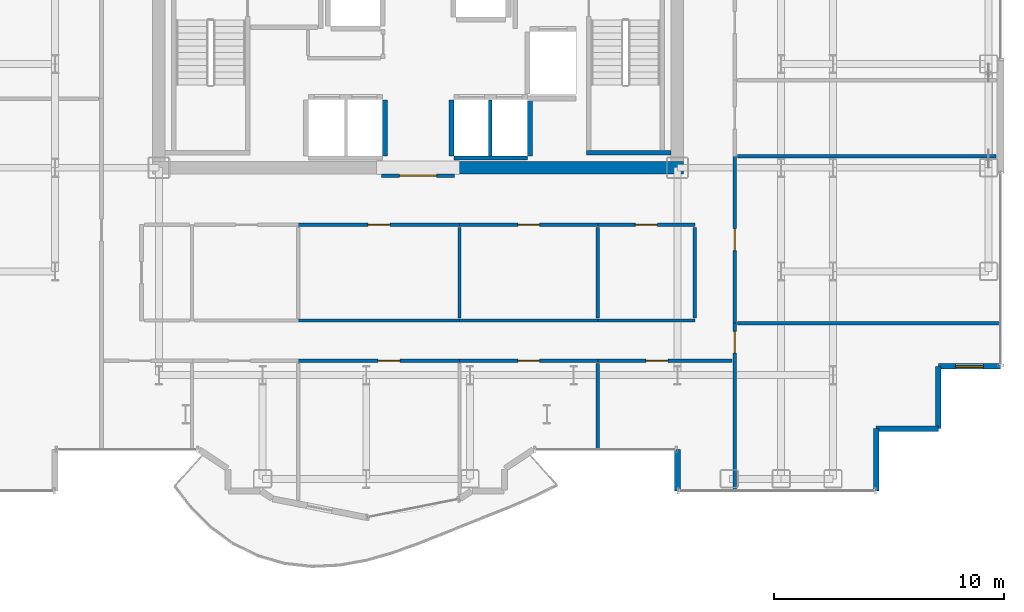
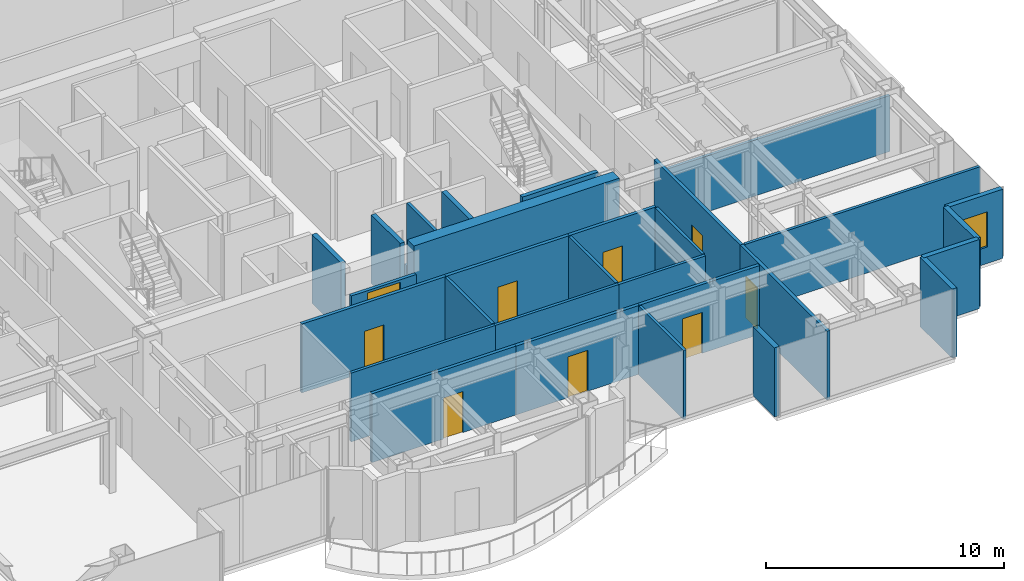
# One storey, part 20 of 26: 30 walls, 9 doors, 1 window, 10 openings.
"""IFC4 building model written with IfcOpenShell, lengths in metres."""

import ifcopenshell
import ifcopenshell.guid

model = None  # the IFC model being written
_history = None  # IfcOwnerHistory: only IFC2X3 demands one
_inside = {}  # id of a spatial element -> (the spatial element, [elements in it])
_under = {}  # id of a project, library or spatial element -> (it, [spatial elements below it])
_declared = {}  # id of a project -> (the project, [libraries it declares])
_typed = {}  # id of a type object -> (the type object, [elements of that type])
_made_of = {}  # id of a material, layer set ... -> (it, [elements and type objects made of it])


def new_model(schema):
    """Start an empty IFC model of exactly this schema.

    Asked for "IFC4X3", IfcOpenShell would pick the latest addendum, in which some entities
    have other attributes; the version numbers below select the first issue.
    IFC2X3 requires an IfcOwnerHistory on every rooted entity: one is made here for all.
    """
    global model, _history
    if schema == "IFC4X3":
        model = ifcopenshell.file(schema_version=(4, 3, 0, 0))
    else:
        model = ifcopenshell.file(schema=schema)
    _inside.clear()
    _under.clear()
    _declared.clear()
    _typed.clear()
    _made_of.clear()
    _history = None
    if model.schema == "IFC2X3":
        org = make("IfcOrganization", Name="unknown")
        user = make(
            "IfcPersonAndOrganization",
            ThePerson=make("IfcPerson", FamilyName="unknown"),
            TheOrganization=org,
        )
        app = make(
            "IfcApplication",
            ApplicationDeveloper=org,
            Version="unknown",
            ApplicationFullName="unknown",
            ApplicationIdentifier="unknown",
        )
        _history = make(
            "IfcOwnerHistory",
            OwningUser=user,
            OwningApplication=app,
            ChangeAction="ADDED",
            CreationDate=0,
        )
    return model


def make(cls, **values):
    """One entity of the class cls with the attributes given. An attribute that is None is left unset."""
    return model.create_entity(
        cls, **{name: value for name, value in values.items() if value is not None}
    )


def rooted(cls, **values):
    """An entity with a GlobalId (a new one), such as an element, a storey or a relation."""
    return make(cls, GlobalId=ifcopenshell.guid.new(), OwnerHistory=_history, **values)


def si_unit(unit_type, name, prefix=None):
    """IfcSIUnit, for example si_unit("LENGTHUNIT", "METRE", prefix="MILLI")."""
    return make("IfcSIUnit", UnitType=unit_type, Prefix=prefix, Name=name)


def assignment(units):
    """IfcUnitAssignment: the units of a project."""
    return None if units is None else make("IfcUnitAssignment", Units=units)


def point(xyz):
    """IfcCartesianPoint."""
    return None if xyz is None else make("IfcCartesianPoint", Coordinates=xyz)


def direction(xyz):
    """IfcDirection."""
    return None if xyz is None else make("IfcDirection", DirectionRatios=xyz)


def frame(location, z_axis=None, x_axis=None):
    """IfcAxis2Placement3D, a coordinate frame: its origin and axes. An axis left out is left unset."""
    return make(
        "IfcAxis2Placement3D",
        Location=point(location),
        Axis=direction(z_axis),
        RefDirection=direction(x_axis),
    )


def frame_2d(location, x_axis=None):
    """IfcAxis2Placement2D, a coordinate frame in the plane: its origin and x axis."""
    return make(
        "IfcAxis2Placement2D", Location=point(location), RefDirection=direction(x_axis)
    )


def origin():
    """The frame at (0, 0, 0) with its axes left unset."""
    return frame((0.0, 0.0, 0.0))


def place(relative_to, where):
    """IfcLocalPlacement: puts the frame where relative to a parent placement (None: the world)."""
    return make(
        "IfcLocalPlacement", PlacementRelTo=relative_to, RelativePlacement=where
    )


def context(
    kind, dimensions, precision=None, world=None, true_north=None, identifier=None
):
    """IfcGeometricRepresentationContext, for example the 3D "Model" context."""
    return make(
        "IfcGeometricRepresentationContext",
        ContextIdentifier=identifier,
        ContextType=kind,
        CoordinateSpaceDimension=dimensions,
        Precision=precision,
        WorldCoordinateSystem=world,
        TrueNorth=true_north,
    )


def subcontext(parent, identifier, kind, view, scale=None):
    """IfcGeometricRepresentationSubContext, for example "Body" below "Model"."""
    return make(
        "IfcGeometricRepresentationSubContext",
        ContextIdentifier=identifier,
        ContextType=kind,
        ParentContext=parent,
        TargetScale=scale,
        TargetView=view,
    )


def project(units=None, contexts=None):
    """IfcProject with its units and contexts."""
    return rooted(
        "IfcProject",
        Name="project",
        RepresentationContexts=contexts,
        UnitsInContext=assignment(units),
    )


def spatial(cls, under=None, at=None, **own):
    """A site, building, storey or space (cls), placed at a placement, below another one or the project."""
    s = rooted(cls, ObjectPlacement=at, **own)
    if under is not None:
        _under.setdefault(under.id(), (under, []))[1].append(s)
    return s


def profile(cls, at=None, kind="AREA", **sizes):
    """A parametric profile (cls). Its sizes go by their IFC names, for example OverallWidth=200.0."""
    return make(cls, ProfileType=kind, Position=at, **sizes)


def rectangle(**sizes):
    """IfcRectangleProfileDef."""
    return profile("IfcRectangleProfileDef", **sizes)


def extrude(swept, where, along, depth):
    """IfcExtrudedAreaSolid: the profile swept, set in the frame where, extruded along a direction by depth."""
    return make(
        "IfcExtrudedAreaSolid",
        SweptArea=swept,
        Position=where,
        ExtrudedDirection=direction(along),
        Depth=depth,
    )


def shape(context_of_items, identifier, shape_type, items):
    """IfcShapeRepresentation: the items that make up one representation, for example the "Body"."""
    return make(
        "IfcShapeRepresentation",
        ContextOfItems=context_of_items,
        RepresentationIdentifier=identifier,
        RepresentationType=shape_type,
        Items=items,
    )


def source(mapping_origin, context_of_items, identifier, shape_type, items):
    """IfcRepresentationMap: a shape defined once, which mapped items show again and again."""
    return make(
        "IfcRepresentationMap",
        MappingOrigin=mapping_origin,
        MappedRepresentation=shape(context_of_items, identifier, shape_type, items),
    )


def transform(
    local_origin,
    x_axis=None,
    y_axis=None,
    z_axis=None,
    scale=None,
    scale2=None,
    scale3=None,
    uniform=True,
):
    """IfcCartesianTransformationOperator3D, or its non-uniform kind. x_axis, y_axis, z_axis: its Axis1, 2, 3."""
    if uniform:
        return make(
            "IfcCartesianTransformationOperator3D",
            Axis1=direction(x_axis),
            Axis2=direction(y_axis),
            LocalOrigin=point(local_origin),
            Scale=scale,
            Axis3=direction(z_axis),
        )
    return make(
        "IfcCartesianTransformationOperator3DnonUniform",
        Axis1=direction(x_axis),
        Axis2=direction(y_axis),
        LocalOrigin=point(local_origin),
        Scale=scale,
        Axis3=direction(z_axis),
        Scale2=scale2,
        Scale3=scale3,
    )


def mapped(mapping_source, mapping_target):
    """IfcMappedItem: shows the shape of a source again, moved by a transform."""
    return make(
        "IfcMappedItem", MappingSource=mapping_source, MappingTarget=mapping_target
    )


def material(Name=None, Category=None):
    """IfcMaterial."""
    return make("IfcMaterial", Name=Name, Category=Category)


def layer(
    of_material, thickness, ventilated=None, Name=None, Category=None, Priority=None
):
    """IfcMaterialLayer: one layer of a wall or slab, of a material (None: an air gap)."""
    return make(
        "IfcMaterialLayer",
        Material=of_material,
        LayerThickness=thickness,
        IsVentilated=ventilated,
        Name=Name,
        Category=Category,
        Priority=Priority,
    )


def layer_set(layers, Name=None):
    """IfcMaterialLayerSet."""
    return make("IfcMaterialLayerSet", MaterialLayers=layers, LayerSetName=Name)


def made_of(thing, what):
    """Note that an element or type object is made of a material, layer set ...; save() writes the relation."""
    if what is not None:
        _made_of.setdefault(what.id(), (what, []))[1].append(thing)
    return thing


def type_object(cls, material=None, **own):
    """A type object (cls), such as IfcWallType, which elements share."""
    return made_of(rooted(cls, **own), material)


def element(
    cls,
    number,
    at=None,
    inside=None,
    cuts=None,
    type_object=None,
    material=None,
    context=None,
    identifier="Body",
    shape_type=None,
    held_by="IfcProductDefinitionShape",
    body=None,
    shapes=None,
    **own,
):
    """One element of the class cls, such as IfcWall. Its Tag is "e" and its number.

    at: its placement. inside: the storey or other place that contains it. cuts: it is an
    opening in that element (IfcRelVoidsElement). A single representation is given by context,
    identifier, shape_type and body (its items); several are given by shapes. held_by: the class
    of the entity that holds the representations. save() writes the other relations.
    """
    e = rooted(cls, Tag="e%d" % number, ObjectPlacement=at, **own)
    if body is not None:
        shapes = [shape(context, identifier, shape_type, body)]
    if shapes is not None:
        e.Representation = make(held_by, Representations=shapes)
    if inside is not None:
        _inside.setdefault(inside.id(), (inside, []))[1].append(e)
    if cuts is not None:
        rooted(
            "IfcRelVoidsElement", RelatingBuildingElement=cuts, RelatedOpeningElement=e
        )
    if type_object is not None:
        _typed.setdefault(type_object.id(), (type_object, []))[1].append(e)
    return made_of(e, material)


def fill(opening, filler):
    """IfcRelFillsElement: the door or window that sits in an opening."""
    return rooted(
        "IfcRelFillsElement",
        RelatingOpeningElement=opening,
        RelatedBuildingElement=filler,
    )


def aggregate(whole, parts):
    """IfcRelAggregates: a whole, such as a stair, and the parts it consists of."""
    return rooted("IfcRelAggregates", RelatingObject=whole, RelatedObjects=parts)


def save(model, path):
    """Write the relations noted so far, then the file.

    IfcRelAggregates (storeys below a building ...), IfcRelContainedInSpatialStructure (elements
    in a storey), IfcRelDefinesByType, IfcRelAssociatesMaterial and IfcRelDeclares: one each for
    every whole, place, type object, material and project.
    """
    for whole, parts in _under.values():
        aggregate(whole, parts)
    for where, things in _inside.values():
        rooted(
            "IfcRelContainedInSpatialStructure",
            RelatedElements=things,
            RelatingStructure=where,
        )
    for kind, things in _typed.values():
        rooted("IfcRelDefinesByType", RelatedObjects=things, RelatingType=kind)
    for what, things in _made_of.values():
        rooted("IfcRelAssociatesMaterial", RelatedObjects=things, RelatingMaterial=what)
    for by, libraries in _declared.values():
        rooted("IfcRelDeclares", RelatingContext=by, RelatedDefinitions=libraries)
    model.write(path)


model = new_model("IFC4")

# Units and contexts
model_context = context("Model", 3, precision=1e-05, world=origin(), true_north=direction((0.0, 1.0)))
body_context = subcontext(model_context, "Body", "Model", "MODEL_VIEW")
ifc_project = project(units=[si_unit("LENGTHUNIT", "METRE"), si_unit("AREAUNIT", "SQUARE_METRE"), si_unit("VOLUMEUNIT", "CUBIC_METRE"), si_unit("PLANEANGLEUNIT", "RADIAN"), si_unit("MASSUNIT", "GRAM", prefix="KILO")], contexts=[model_context])

# Site, building, storey
site_placement = place(None, origin())
site = spatial("IfcSite", under=ifc_project, at=site_placement, CompositionType="ELEMENT")
building_placement = place(site_placement, origin())
building = spatial("IfcBuilding", under=site, at=building_placement, Name="Nefas-Gora Pilgrimage Tower", CompositionType="ELEMENT")
storey_placement = place(building_placement, frame((0.0, 0.0, 171.60009765625)))
storey = spatial("IfcBuildingStorey", under=building, at=storey_placement, Name="L42", CompositionType="ELEMENT", Elevation=171.60009765625)

# Walls
ifc_material_1 = material(Name="Concrete C60/75", Category="concrete")
ifc_layer_1 = layer(ifc_material_1, 0.550048828125)
ifc_layer_set_1 = layer_set([ifc_layer_1], Name="Concrete C60/75")
wall_type_1 = type_object("IfcWallType", Name="SW-CORE-550", PredefinedType="SHEAR", material=ifc_layer_set_1)
shared_shape_1 = source(origin(), body_context, "Body", "SweptSolid", [
    extrude(rectangle(XDim=9.974853515625, YDim=0.550048828125, at=frame_2d((4.9873046875, 0.0))), origin(), (0.0, 0.0, 1.0), 3.7998046875),
])
wall_1_placement = place(storey_placement, frame((1.550048828125, -9.0, 0.0), z_axis=(0.0, 0.0, 1.0), x_axis=(1.0, 0.0, 0.0)))
element("IfcWall", 1, at=wall_1_placement, inside=storey, type_object=wall_type_1, Name="L42 Core Shear Wall S-East", PredefinedType="SHEAR", context=body_context, shape_type="MappedRepresentation", body=[
    mapped(shared_shape_1, transform((0.0, 0.0, 0.0), x_axis=(1.0, 0.0, 0.0), y_axis=(0.0, 1.0, 0.0), z_axis=(0.0, 0.0, 1.0), scale=1.0)),
])
ifc_material_2 = material(Name="Precast concrete C40/50", Category="concrete")
ifc_layer_2 = layer(ifc_material_2, 0.260009765625)
ifc_layer_set_2 = layer_set([ifc_layer_2], Name="Precast concrete C40/50")
wall_type_2 = type_object("IfcWallType", Name="EW-PORTAL-260", PredefinedType="SOLIDWALL", material=ifc_layer_set_2)
shared_shape_2 = source(origin(), body_context, "Body", "SweptSolid", [
    extrude(rectangle(XDim=1.800048828125, YDim=0.260009765625, at=frame_2d((0.89990234375, 0.0))), origin(), (0.0, 0.0, 1.0), 3.5498046875),
])
wall_2_placement = place(storey_placement, frame((11.25, -21.219970703125, 0.0), z_axis=(0.0, 0.0, 1.0), x_axis=(0.0, -1.0, 0.0)))
element("IfcWall", 2, at=wall_2_placement, inside=storey, type_object=wall_type_2, Name="L42 Lobe Shoulder Precast Spandrel Pier 5", PredefinedType="SOLIDWALL", context=body_context, shape_type="MappedRepresentation", body=[
    mapped(shared_shape_2, transform((0.0, 0.0, 0.0), x_axis=(1.0, 0.0, 0.0), y_axis=(0.0, 1.0, 0.0), z_axis=(0.0, 0.0, 1.0), scale=1.0)),
])
ifc_material_3 = material(Name="Precast concrete C45/55", Category="concrete")
ifc_layer_3 = layer(ifc_material_3, 0.239990234375)
ifc_layer_set_3 = layer_set([ifc_layer_3], Name="Precast concrete C45/55")
wall_type_3 = type_object("IfcWallType", Name="EW-SERR-240", PredefinedType="SHEAR", material=ifc_layer_set_3)
shared_shape_3 = source(origin(), body_context, "Body", "SweptSolid", [
    extrude(rectangle(XDim=2.699951171875, YDim=0.239990234375, at=frame_2d((1.35009765625, 0.0))), origin(), (0.0, 0.0, 1.0), 3.5498046875),
])
for number, where, z_axis, x_axis, name in (
    (3, (19.8701171875, -23.02001953125, 0.0), (0.0, 0.0, 1.0), (0.0, 1.0, 0.0), "L42 Serrated Corner Shear Pier Wall 6"),
    (4, (19.8701171875, -20.320068359375, 0.0), (0.0, 0.0, 1.0), (1.0, 0.0, 0.0), "L42 Serrated Corner Shear Pier Wall 7"),
    (5, (22.570068359375, -20.320068359375, 0.0), (0.0, 0.0, 1.0), (0.0, 1.0, 0.0), "L42 Serrated Corner Shear Pier Wall 8"),
):
    element("IfcWall", number, at=place(storey_placement, frame(where, z_axis=z_axis, x_axis=x_axis)), inside=storey, type_object=wall_type_3, Name=name, PredefinedType="SHEAR", context=body_context, shape_type="MappedRepresentation", body=[
        mapped(shared_shape_3, transform((0.0, 0.0, 0.0), x_axis=(1.0, 0.0, 0.0), y_axis=(0.0, 1.0, 0.0), z_axis=(0.0, 0.0, 1.0), scale=1.0)),
    ])

# Wall, opening, window
wall_3_placement = place(storey_placement, frame((22.570068359375, -17.6201171875, 0.0), z_axis=(0.0, 0.0, 1.0), x_axis=(1.0, 0.0, 0.0)))
wall_3 = element("IfcWall", 6, at=wall_3_placement, inside=storey, type_object=wall_type_3, Name="L42 Serrated Corner Shear Pier Wall 9", PredefinedType="SHEAR", context=body_context, shape_type="MappedRepresentation", body=[
    mapped(shared_shape_3, transform((0.0, 0.0, 0.0), x_axis=(1.0, 0.0, 0.0), y_axis=(0.0, 1.0, 0.0), z_axis=(0.0, 0.0, 1.0), scale=1.0)),
])
opening_1_placement = place(wall_3_placement, frame((0.75, 0.0, 0.85009765625)))
opening_1 = element("IfcOpeningElement", 7, at=opening_1_placement, cuts=wall_3, Name="Opening W-V1", PredefinedType="OPENING", context=body_context, shape_type="SweptSolid", body=[
    extrude(rectangle(XDim=1.199951171875, YDim=1.800048828125, at=frame_2d((0.60009765625, 0.89990234375))), frame((0.0, 0.1298828125, 0.0), z_axis=(0.0, -1.0, 0.0), x_axis=(1.0, 0.0, 0.0)), (0.0, 0.0, 1.0), 0.260009765625),
])
ifc_material_4 = material(Name="Dark ceramic-fritted operable aluminium-glass window", Category="aluminium")
window_type = type_object("IfcWindowType", Name="WIN-VENT-1200x1800", PartitioningType="SINGLE_PANEL", PredefinedType="WINDOW", material=ifc_material_4)
shared_shape_4 = source(origin(), body_context, "Body", "SweptSolid", [
    extrude(rectangle(XDim=1.199951171875, YDim=1.800048828125, at=frame_2d((0.60009765625, 0.89990234375))), frame((0.0, 0.030029296875, 0.0), z_axis=(0.0, -1.0, 0.0), x_axis=(1.0, 0.0, 0.0)), (0.0, 0.0, 1.0), 0.06005859375),
])
window_placement = place(opening_1_placement, origin())
window = element("IfcWindow", 8, at=window_placement, inside=storey, type_object=window_type, Name="L42 Operable Parallel-Outswing Window 9", OverallHeight=1.800048828125, OverallWidth=1.199951171875, PartitioningType="SINGLE_PANEL", PredefinedType="WINDOW", context=body_context, shape_type="MappedRepresentation", body=[
    mapped(shared_shape_4, transform((0.0, 0.0, 0.0), x_axis=(1.0, 0.0, 0.0), y_axis=(0.0, 1.0, 0.0), z_axis=(0.0, 0.0, 1.0), scale=1.0)),
])
fill(opening_1, window)

# Walls
ifc_material_5 = material(Name="Concrete C45/55", Category="concrete")
ifc_layer_4 = layer(ifc_material_5, 0.199951171875)
ifc_layer_set_4 = layer_set([ifc_layer_4], Name="Concrete C45/55")
wall_type_4 = type_object("IfcWallType", Name="IW-STAIR-200", PredefinedType="SOLIDWALL", material=ifc_layer_set_4)
shared_shape_5 = source(origin(), body_context, "Body", "SweptSolid", [
    extrude(rectangle(XDim=3.679931640625, YDim=0.199951171875, at=frame_2d((1.83984375, 0.0))), origin(), (0.0, 0.0, 1.0), 3.7998046875),
])
wall_4_placement = place(storey_placement, frame((7.300048828125, -8.35009765625, 0.0), z_axis=(0.0, 0.0, 1.0), x_axis=(1.0, 0.0, 0.0)))
element("IfcWall", 9, at=wall_4_placement, inside=storey, type_object=wall_type_4, Name="L42 Stairwell Shear Wall ST-02-far", PredefinedType="SOLIDWALL", context=body_context, shape_type="MappedRepresentation", body=[
    mapped(shared_shape_5, transform((0.0, 0.0, 0.0), x_axis=(1.0, 0.0, 0.0), y_axis=(0.0, 1.0, 0.0), z_axis=(0.0, 0.0, 1.0), scale=1.0)),
])
ifc_material_6 = material(Name="Concrete C40/50", Category="concrete")
ifc_layer_5 = layer(ifc_material_6, 0.219970703125)
ifc_layer_set_5 = layer_set([ifc_layer_5], Name="Concrete C40/50")
wall_type_5 = type_object("IfcWallType", Name="IW-SHAFT-220", PredefinedType="SOLIDWALL", material=ifc_layer_set_5)
shared_shape_6 = source(origin(), body_context, "Body", "SweptSolid", [
    extrude(rectangle(XDim=2.429931640625, YDim=0.219970703125, at=frame_2d((1.21484375, 0.0))), origin(), (0.0, 0.0, 1.0), 3.534912109375),
])
for number, where, z_axis, x_axis, name in (
    (10, (-1.43994140625, -8.489990234375, 0.0), (0.0, 0.0, 1.0), (0.0, 1.0, 0.0), "L42 Hoistway Wall PL2-W-E"),
    (11, (1.43994140625, -6.06005859375, 0.0), (0.0, 0.0, 1.0), (0.0, -1.0, 0.0), "L42 Hoistway Wall PL2-E-W"),
    (12, (4.860107421875, -8.489990234375, 0.0), (0.0, 0.0, 1.0), (0.0, 1.0, 0.0), "L42 Hoistway Wall PL2-E-E"),
):
    element("IfcWall", number, at=place(storey_placement, frame(where, z_axis=z_axis, x_axis=x_axis)), inside=storey, type_object=wall_type_5, Name=name, PredefinedType="SOLIDWALL", context=body_context, shape_type="MappedRepresentation", body=[
        mapped(shared_shape_6, transform((0.0, 0.0, 0.0), x_axis=(1.0, 0.0, 0.0), y_axis=(0.0, 1.0, 0.0), z_axis=(0.0, 0.0, 1.0), scale=1.0)),
    ])
ifc_material_7 = material(Name="Gypsum twin-stud partition")
ifc_layer_6 = layer(ifc_material_7, 0.139892578125)
ifc_layer_set_6 = layer_set([ifc_layer_6], Name="Gypsum twin-stud partition")
wall_type_6 = type_object("IfcWallType", Name="IW-UNIT-140", PredefinedType="PARTITIONING", material=ifc_layer_set_6)
shared_shape_7 = source(origin(), body_context, "Body", "SweptSolid", [
    extrude(rectangle(XDim=2.429931640625, YDim=0.139892578125, at=frame_2d((1.21484375, 0.0))), origin(), (0.0, 0.0, 1.0), 3.534912109375),
])
wall_5_placement = place(storey_placement, frame((3.125, -8.489990234375, 0.0), z_axis=(0.0, 0.0, 1.0), x_axis=(0.0, 1.0, 0.0)))
element("IfcWall", 13, at=wall_5_placement, inside=storey, type_object=wall_type_6, Name="L42 Hoistway Wall PL2-E-DIV", PredefinedType="PARTITIONING", context=body_context, shape_type="MappedRepresentation", body=[
    mapped(shared_shape_7, transform((0.0, 0.0, 0.0), x_axis=(1.0, 0.0, 0.0), y_axis=(0.0, 1.0, 0.0), z_axis=(0.0, 0.0, 1.0), scale=1.0)),
])
ifc_material_8 = material(Name="Gypsum acoustic stud partition")
ifc_layer_7 = layer(ifc_material_8, 0.159912109375)
ifc_layer_set_7 = layer_set([ifc_layer_7], Name="Gypsum acoustic stud partition")
wall_type_7 = type_object("IfcWallType", Name="IW-CORR-160", PredefinedType="PARTITIONING", material=ifc_layer_set_7)
shared_shape_8 = source(origin(), body_context, "Body", "SweptSolid", [
    extrude(rectangle(XDim=3.199951171875, YDim=0.159912109375, at=frame_2d((1.60009765625, 0.0))), origin(), (0.0, 0.0, 1.0), 2.4248046875),
])
wall_6_placement = place(storey_placement, frame((1.550048828125, -8.580078125, 0.0), z_axis=(0.0, 0.0, 1.0), x_axis=(1.0, 0.0, 0.0)))
element("IfcWall", 14, at=wall_6_placement, inside=storey, type_object=wall_type_7, Name="L42 Hoistway Wall PL2-E-S", PredefinedType="PARTITIONING", context=body_context, shape_type="MappedRepresentation", body=[
    mapped(shared_shape_8, transform((0.0, 0.0, 0.0), x_axis=(1.0, 0.0, 0.0), y_axis=(0.0, 1.0, 0.0), z_axis=(0.0, 0.0, 1.0), scale=1.0)),
])

# Wall, opening, door
shared_shape_9 = source(origin(), body_context, "Body", "SweptSolid", [
    extrude(rectangle(XDim=6.010009765625, YDim=0.159912109375, at=frame_2d((3.0048828125, 0.0))), origin(), (0.0, 0.0, 1.0), 3.534912109375),
])
wall_7_placement = place(storey_placement, frame((1.794921875, -17.3701171875, 0.0), z_axis=(0.0, 0.0, 1.0), x_axis=(1.0, 0.0, 0.0)))
wall_7 = element("IfcWall", 15, at=wall_7_placement, inside=storey, type_object=wall_type_7, Name="L42 Pilgrim Contemplative Lounge Partition Wall 84", PredefinedType="PARTITIONING", context=body_context, shape_type="MappedRepresentation", body=[
    mapped(shared_shape_9, transform((0.0, 0.0, 0.0), x_axis=(1.0, 0.0, 0.0), y_axis=(0.0, 1.0, 0.0), z_axis=(0.0, 0.0, 1.0), scale=1.0)),
])
opening_2_placement = place(wall_7_placement, frame((2.530029296875, 0.0, 0.0)))
opening_2 = element("IfcOpeningElement", 16, at=opening_2_placement, cuts=wall_7, Name="Opening ID-GR1", PredefinedType="OPENING", context=body_context, shape_type="SweptSolid", body=[
    extrude(rectangle(XDim=0.949951171875, YDim=2.10009765625, at=frame_2d((0.47509765625, 1.050048828125))), frame((0.0, 0.08984375, 0.0), z_axis=(0.0, -1.0, 0.0), x_axis=(1.0, 0.0, 0.0)), (0.0, 0.0, 1.0), 0.179931640625),
])
ifc_material_9 = material(Name="Solid core oak fire-rated guest entrance door")
door_type_1 = type_object("IfcDoorType", Name="DR-INT-GUEST-950", OperationType="NOTDEFINED", PredefinedType="DOOR", material=ifc_material_9)
shared_shape_10 = source(origin(), body_context, "Body", "SweptSolid", [
    extrude(rectangle(XDim=0.949951171875, YDim=2.10009765625, at=frame_2d((0.47509765625, 1.050048828125))), frame((0.0, 0.02490234375, 0.0), z_axis=(0.0, -1.0, 0.0), x_axis=(1.0, 0.0, 0.0)), (0.0, 0.0, 1.0), 0.050048828125),
])
door_1_placement = place(opening_2_placement, origin())
door_1 = element("IfcDoor", 17, at=door_1_placement, inside=storey, type_object=door_type_1, Name="L42 Pilgrim Contemplative Lounge Door 37", OperationType="SINGLE_SWING_RIGHT", OverallHeight=2.10009765625, OverallWidth=0.949951171875, PredefinedType="DOOR", context=body_context, shape_type="MappedRepresentation", body=[
    mapped(shared_shape_10, transform((0.0, 0.0, 0.0), x_axis=(1.0, 0.0, 0.0), y_axis=(0.0, 1.0, 0.0), z_axis=(0.0, 0.0, 1.0), scale=1.0)),
])
fill(opening_2, door_1)

wall_8_placement = place(storey_placement, frame((1.794921875, -11.469970703125, 0.0), z_axis=(0.0, 0.0, 1.0), x_axis=(1.0, 0.0, 0.0)))
wall_8 = element("IfcWall", 18, at=wall_8_placement, inside=storey, type_object=wall_type_7, Name="L42 Pilgrim Contemplative Lounge Partition Wall 86", PredefinedType="PARTITIONING", context=body_context, shape_type="MappedRepresentation", body=[
    mapped(shared_shape_9, transform((0.0, 0.0, 0.0), x_axis=(1.0, 0.0, 0.0), y_axis=(0.0, 1.0, 0.0), z_axis=(0.0, 0.0, 1.0), scale=1.0)),
])
opening_3_placement = place(wall_8_placement, frame((2.530029296875, 0.0, 0.0)))
opening_3 = element("IfcOpeningElement", 19, at=opening_3_placement, cuts=wall_8, Name="Opening ID-GR1", PredefinedType="OPENING", context=body_context, shape_type="SweptSolid", body=[
    extrude(rectangle(XDim=0.949951171875, YDim=2.10009765625, at=frame_2d((0.47509765625, 1.050048828125))), frame((0.0, 0.08984375, 0.0), z_axis=(0.0, -1.0, 0.0), x_axis=(1.0, 0.0, 0.0)), (0.0, 0.0, 1.0), 0.179931640625),
])
door_2_placement = place(opening_3_placement, origin())
door_2 = element("IfcDoor", 20, at=door_2_placement, inside=storey, type_object=door_type_1, Name="L42 Pilgrim Contemplative Lounge Door 38", OperationType="SINGLE_SWING_LEFT", OverallHeight=2.10009765625, OverallWidth=0.949951171875, PredefinedType="DOOR", context=body_context, shape_type="MappedRepresentation", body=[
    mapped(shared_shape_10, transform((0.0, 0.0, 0.0), x_axis=(1.0, 0.0, 0.0), y_axis=(0.0, 1.0, 0.0), z_axis=(0.0, 0.0, 1.0), scale=1.0)),
])
fill(opening_3, door_2)

shared_shape_11 = source(origin(), body_context, "Body", "SweptSolid", [
    extrude(rectangle(XDim=5.8251953125, YDim=0.159912109375, at=frame_2d((2.91259765625, 0.0))), origin(), (0.0, 0.0, 1.0), 3.534912109375),
])
wall_9_placement = place(storey_placement, frame((7.794921875, -17.3701171875, 0.0), z_axis=(0.0, 0.0, 1.0), x_axis=(1.0, 0.0, 0.0)))
wall_9 = element("IfcWall", 21, at=wall_9_placement, inside=storey, type_object=wall_type_7, Name="L42 Pilgrim Contemplative Lounge Partition Wall 89", PredefinedType="PARTITIONING", context=body_context, shape_type="MappedRepresentation", body=[
    mapped(shared_shape_11, transform((0.0, 0.0, 0.0), x_axis=(1.0, 0.0, 0.0), y_axis=(0.0, 1.0, 0.0), z_axis=(0.0, 0.0, 1.0), scale=1.0)),
])
opening_4_placement = place(wall_9_placement, frame((2.09228515625, 0.0, 0.0)))
opening_4 = element("IfcOpeningElement", 22, at=opening_4_placement, cuts=wall_9, Name="Opening ID-GR1", PredefinedType="OPENING", context=body_context, shape_type="SweptSolid", body=[
    extrude(rectangle(XDim=0.949951171875, YDim=2.10009765625, at=frame_2d((0.47509765625, 1.050048828125))), frame((0.0, 0.08984375, 0.0), z_axis=(0.0, -1.0, 0.0), x_axis=(1.0, 0.0, 0.0)), (0.0, 0.0, 1.0), 0.179931640625),
])
door_3_placement = place(opening_4_placement, origin())
door_3 = element("IfcDoor", 23, at=door_3_placement, inside=storey, type_object=door_type_1, Name="L42 Pilgrim Contemplative Lounge Door 39", OperationType="SINGLE_SWING_RIGHT", OverallHeight=2.10009765625, OverallWidth=0.949951171875, PredefinedType="DOOR", context=body_context, shape_type="MappedRepresentation", body=[
    mapped(shared_shape_10, transform((0.0, 0.0, 0.0), x_axis=(1.0, 0.0, 0.0), y_axis=(0.0, 1.0, 0.0), z_axis=(0.0, 0.0, 1.0), scale=1.0)),
])
fill(opening_4, door_3)

shared_shape_12 = source(origin(), body_context, "Body", "SweptSolid", [
    extrude(rectangle(XDim=3.16015625, YDim=0.159912109375, at=frame_2d((1.580078125, 0.0))), origin(), (0.0, 0.0, 1.0), 2.4248046875),
])
wall_10_placement = place(storey_placement, frame((-1.580078125, -9.35009765625, 0.0), z_axis=(0.0, 0.0, 1.0), x_axis=(1.0, 0.0, 0.0)))
wall_10 = element("IfcWall", 24, at=wall_10_placement, inside=storey, type_object=wall_type_7, Name="L42 Central Lift Lobby South Portal Wall 16", PredefinedType="PARTITIONING", context=body_context, shape_type="MappedRepresentation", body=[
    mapped(shared_shape_12, transform((0.0, 0.0, 0.0), x_axis=(1.0, 0.0, 0.0), y_axis=(0.0, 1.0, 0.0), z_axis=(0.0, 0.0, 1.0), scale=1.0)),
])
opening_5_placement = place(wall_10_placement, frame((0.780029296875, 0.0, 0.0)))
opening_5 = element("IfcOpeningElement", 25, at=opening_5_placement, cuts=wall_10, Name="Opening ID-HL1", PredefinedType="OPENING", context=body_context, shape_type="SweptSolid", body=[
    extrude(rectangle(XDim=1.60009765625, YDim=2.300048828125, at=frame_2d((0.800048828125, 1.14990234375))), frame((0.0, 0.08984375, 0.0), z_axis=(0.0, -1.0, 0.0), x_axis=(1.0, 0.0, 0.0)), (0.0, 0.0, 1.0), 0.179931640625),
])
ifc_material_10 = material(Name="Double acoustic timber assembly hall door", Category="wood")
door_type_2 = type_object("IfcDoorType", Name="DR-INT-HALL-1600", OperationType="DOUBLE_DOOR_SINGLE_SWING", PredefinedType="DOOR", material=ifc_material_10)
shared_shape_13 = source(origin(), body_context, "Body", "SweptSolid", [
    extrude(rectangle(XDim=1.60009765625, YDim=2.300048828125, at=frame_2d((0.800048828125, 1.14990234375))), frame((0.0, 0.02490234375, 0.0), z_axis=(0.0, -1.0, 0.0), x_axis=(1.0, 0.0, 0.0)), (0.0, 0.0, 1.0), 0.050048828125),
])
door_4_placement = place(opening_5_placement, origin())
door_4 = element("IfcDoor", 26, at=door_4_placement, inside=storey, type_object=door_type_2, Name="L42 Central Lift Lobby South Portal Door 6", OperationType="DOUBLE_DOOR_SINGLE_SWING", OverallHeight=2.300048828125, OverallWidth=1.60009765625, PredefinedType="DOOR", context=body_context, shape_type="MappedRepresentation", body=[
    mapped(shared_shape_13, transform((0.0, 0.0, 0.0), x_axis=(1.0, 0.0, 0.0), y_axis=(0.0, 1.0, 0.0), z_axis=(0.0, 0.0, 1.0), scale=1.0)),
])
fill(opening_5, door_4)

# Walls
shared_shape_14 = source(origin(), body_context, "Body", "SweptSolid", [
    extrude(rectangle(XDim=11.429931640625, YDim=0.139892578125, at=frame_2d((5.71484375, 0.0))), origin(), (0.0, 0.0, 1.0), 3.534912109375),
])
wall_11_placement = place(storey_placement, frame((13.860107421875, -15.74755859375, 0.0), z_axis=(0.0, 0.0, 1.0), x_axis=(1.0, 0.0, 0.0)))
element("IfcWall", 27, at=wall_11_placement, inside=storey, type_object=wall_type_6, Name="L42 Pilgrim Tea and Beverage Pantry Partition Wall 38", PredefinedType="PARTITIONING", context=body_context, shape_type="MappedRepresentation", body=[
    mapped(shared_shape_14, transform((0.0, 0.0, 0.0), x_axis=(1.0, 0.0, 0.0), y_axis=(0.0, 1.0, 0.0), z_axis=(0.0, 0.0, 1.0), scale=1.0)),
])
shared_shape_15 = source(origin(), body_context, "Body", "SweptSolid", [
    extrude(rectangle(XDim=11.219970703125, YDim=0.139892578125, at=frame_2d((5.60986328125, 0.0))), origin(), (0.0, 0.0, 1.0), 2.875),
])
wall_12_placement = place(storey_placement, frame((13.860107421875, -8.5048828125, 0.0), z_axis=(0.0, 0.0, 1.0), x_axis=(1.0, 0.0, 0.0)))
element("IfcWall", 28, at=wall_12_placement, inside=storey, type_object=wall_type_6, Name="L42 Pilgrim Fellowship Seminar Room Partition Wall 40", PredefinedType="PARTITIONING", context=body_context, shape_type="MappedRepresentation", body=[
    mapped(shared_shape_15, transform((0.0, 0.0, 0.0), x_axis=(1.0, 0.0, 0.0), y_axis=(0.0, 1.0, 0.0), z_axis=(0.0, 0.0, 1.0), scale=1.0)),
])

# Wall, opening, door
shared_shape_16 = source(origin(), body_context, "Body", "SweptSolid", [
    extrude(rectangle(XDim=7.302490234375, YDim=0.159912109375, at=frame_2d((3.6513671875, 0.0))), origin(), (0.0, 0.0, 1.0), 3.534912109375),
])
wall_13_placement = place(storey_placement, frame((13.739990234375, -23.0400390625, 0.0), z_axis=(0.0, 0.0, 1.0), x_axis=(0.0, 1.0, 0.0)))
wall_13 = element("IfcWall", 29, at=wall_13_placement, inside=storey, type_object=wall_type_7, Name="L42 Pilgrim Tea and Beverage Pantry Partition Wall 37", PredefinedType="PARTITIONING", context=body_context, shape_type="MappedRepresentation", body=[
    mapped(shared_shape_16, transform((0.0, 0.0, 0.0), x_axis=(1.0, 0.0, 0.0), y_axis=(0.0, 1.0, 0.0), z_axis=(0.0, 0.0, 1.0), scale=1.0)),
])
opening_6_placement = place(wall_13_placement, frame((5.9912109375, 0.0, 0.0)))
opening_6 = element("IfcOpeningElement", 30, at=opening_6_placement, cuts=wall_13, Name="Opening ID-GR1", PredefinedType="OPENING", context=body_context, shape_type="SweptSolid", body=[
    extrude(rectangle(XDim=0.949951171875, YDim=2.10009765625, at=frame_2d((0.47509765625, 1.050048828125))), frame((0.0, 0.08984375, 0.0), z_axis=(0.0, -1.0, 0.0), x_axis=(1.0, 0.0, 0.0)), (0.0, 0.0, 1.0), 0.179931640625),
])
door_5_placement = place(opening_6_placement, origin())
door_5 = element("IfcDoor", 31, at=door_5_placement, inside=storey, type_object=door_type_1, Name="L42 Pilgrim Tea and Beverage Pantry Door 16", OperationType="SINGLE_SWING_LEFT", OverallHeight=2.10009765625, OverallWidth=0.949951171875, PredefinedType="DOOR", context=body_context, shape_type="MappedRepresentation", body=[
    mapped(shared_shape_10, transform((0.0, 0.0, 0.0), x_axis=(1.0, 0.0, 0.0), y_axis=(0.0, 1.0, 0.0), z_axis=(0.0, 0.0, 1.0), scale=1.0)),
])
fill(opening_6, door_5)

shared_shape_17 = source(origin(), body_context, "Body", "SweptSolid", [
    extrude(rectangle(XDim=7.242431640625, YDim=0.159912109375, at=frame_2d((3.62109375, 0.0))), origin(), (0.0, 0.0, 1.0), 3.534912109375),
])
wall_14_placement = place(storey_placement, frame((13.739990234375, -15.737548828125, 0.0), z_axis=(0.0, 0.0, 1.0), x_axis=(0.0, 1.0, 0.0)))
wall_14 = element("IfcWall", 32, at=wall_14_placement, inside=storey, type_object=wall_type_7, Name="L42 Pilgrim Fellowship Seminar Room Partition Wall 39", PredefinedType="PARTITIONING", context=body_context, shape_type="MappedRepresentation", body=[
    mapped(shared_shape_17, transform((0.0, 0.0, 0.0), x_axis=(1.0, 0.0, 0.0), y_axis=(0.0, 1.0, 0.0), z_axis=(0.0, 0.0, 1.0), scale=1.0)),
])
opening_7_placement = place(wall_14_placement, frame((3.146240234375, 0.0, 0.0)))
opening_7 = element("IfcOpeningElement", 33, at=opening_7_placement, cuts=wall_14, Name="Opening ID-GR1", PredefinedType="OPENING", context=body_context, shape_type="SweptSolid", body=[
    extrude(rectangle(XDim=0.949951171875, YDim=2.10009765625, at=frame_2d((0.47509765625, 1.050048828125))), frame((0.0, 0.08984375, 0.0), z_axis=(0.0, -1.0, 0.0), x_axis=(1.0, 0.0, 0.0)), (0.0, 0.0, 1.0), 0.179931640625),
])
door_6_placement = place(opening_7_placement, origin())
door_6 = element("IfcDoor", 34, at=door_6_placement, inside=storey, type_object=door_type_1, Name="L42 Pilgrim Fellowship Seminar Room Door 17", OperationType="SINGLE_SWING_RIGHT", OverallHeight=2.10009765625, OverallWidth=0.949951171875, PredefinedType="DOOR", context=body_context, shape_type="MappedRepresentation", body=[
    mapped(shared_shape_10, transform((0.0, 0.0, 0.0), x_axis=(1.0, 0.0, 0.0), y_axis=(0.0, 1.0, 0.0), z_axis=(0.0, 0.0, 1.0), scale=1.0)),
])
fill(opening_7, door_6)

# Walls
shared_shape_18 = source(origin(), body_context, "Body", "SweptSolid", [
    extrude(rectangle(XDim=3.929931640625, YDim=0.139892578125, at=frame_2d((1.96484375, 0.0))), origin(), (0.0, 0.0, 1.0), 3.534912109375),
])
for number, where, z_axis, x_axis, name in (
    (35, (1.794921875, -15.52001953125, 0.0), (0.0, 0.0, 1.0), (0.0, 1.0, 0.0), "L42 Pilgrim Contemplative Lounge Partition Wall 83"),
    (36, (7.794921875, -15.52001953125, 0.0), (0.0, 0.0, 1.0), (0.0, 1.0, 0.0), "L42 Pilgrim Contemplative Lounge Partition Wall 88"),
    (37, (12.0, -15.52001953125, 0.0), (0.0, 0.0, 1.0), (0.0, 1.0, 0.0), "L42 Pilgrim Contemplative Lounge Partition Wall 92"),
):
    element("IfcWall", number, at=place(storey_placement, frame(where, z_axis=z_axis, x_axis=x_axis)), inside=storey, type_object=wall_type_6, Name=name, PredefinedType="PARTITIONING", context=body_context, shape_type="MappedRepresentation", body=[
        mapped(shared_shape_18, transform((0.0, 0.0, 0.0), x_axis=(1.0, 0.0, 0.0), y_axis=(0.0, 1.0, 0.0), z_axis=(0.0, 0.0, 1.0), scale=1.0)),
    ])
shared_shape_19 = source(origin(), body_context, "Body", "SweptSolid", [
    extrude(rectangle(XDim=3.75, YDim=0.139892578125, at=frame_2d((1.875, 0.0))), origin(), (0.0, 0.0, 1.0), 3.534912109375),
])
wall_15_placement = place(storey_placement, frame((7.794921875, -21.239990234375, 0.0), z_axis=(0.0, 0.0, 1.0), x_axis=(0.0, 1.0, 0.0)))
element("IfcWall", 38, at=wall_15_placement, inside=storey, type_object=wall_type_6, Name="L42 Pilgrim Contemplative Lounge Partition Wall 85", PredefinedType="PARTITIONING", context=body_context, shape_type="MappedRepresentation", body=[
    mapped(shared_shape_19, transform((0.0, 0.0, 0.0), x_axis=(1.0, 0.0, 0.0), y_axis=(0.0, 1.0, 0.0), z_axis=(0.0, 0.0, 1.0), scale=1.0)),
])
shared_shape_20 = source(origin(), body_context, "Body", "SweptSolid", [
    extrude(rectangle(XDim=6.010009765625, YDim=0.139892578125, at=frame_2d((3.0048828125, 0.0))), origin(), (0.0, 0.0, 1.0), 3.534912109375),
])
wall_16_placement = place(storey_placement, frame((1.794921875, -15.6298828125, 0.0), z_axis=(0.0, 0.0, 1.0), x_axis=(1.0, 0.0, 0.0)))
element("IfcWall", 39, at=wall_16_placement, inside=storey, type_object=wall_type_6, Name="L42 Pilgrim Contemplative Lounge Partition Wall 87", PredefinedType="PARTITIONING", context=body_context, shape_type="MappedRepresentation", body=[
    mapped(shared_shape_20, transform((0.0, 0.0, 0.0), x_axis=(1.0, 0.0, 0.0), y_axis=(0.0, 1.0, 0.0), z_axis=(0.0, 0.0, 1.0), scale=1.0)),
])

# Wall, opening, door
shared_shape_21 = source(origin(), body_context, "Body", "SweptSolid", [
    extrude(rectangle(XDim=4.215087890625, YDim=0.159912109375, at=frame_2d((2.107421875, 0.0))), origin(), (0.0, 0.0, 1.0), 3.534912109375),
])
wall_17_placement = place(storey_placement, frame((7.794921875, -11.469970703125, 0.0), z_axis=(0.0, 0.0, 1.0), x_axis=(1.0, 0.0, 0.0)))
wall_17 = element("IfcWall", 40, at=wall_17_placement, inside=storey, type_object=wall_type_7, Name="L42 Pilgrim Contemplative Lounge Partition Wall 90", PredefinedType="PARTITIONING", context=body_context, shape_type="MappedRepresentation", body=[
    mapped(shared_shape_21, transform((0.0, 0.0, 0.0), x_axis=(1.0, 0.0, 0.0), y_axis=(0.0, 1.0, 0.0), z_axis=(0.0, 0.0, 1.0), scale=1.0)),
])
opening_8_placement = place(wall_17_placement, frame((1.632568359375, 0.0, 0.0)))
opening_8 = element("IfcOpeningElement", 41, at=opening_8_placement, cuts=wall_17, Name="Opening ID-GR1", PredefinedType="OPENING", context=body_context, shape_type="SweptSolid", body=[
    extrude(rectangle(XDim=0.949951171875, YDim=2.10009765625, at=frame_2d((0.47509765625, 1.050048828125))), frame((0.0, 0.08984375, 0.0), z_axis=(0.0, -1.0, 0.0), x_axis=(1.0, 0.0, 0.0)), (0.0, 0.0, 1.0), 0.179931640625),
])
door_7_placement = place(opening_8_placement, origin())
door_7 = element("IfcDoor", 42, at=door_7_placement, inside=storey, type_object=door_type_1, Name="L42 Pilgrim Contemplative Lounge Door 40", OperationType="SINGLE_SWING_LEFT", OverallHeight=2.10009765625, OverallWidth=0.949951171875, PredefinedType="DOOR", context=body_context, shape_type="MappedRepresentation", body=[
    mapped(shared_shape_10, transform((0.0, 0.0, 0.0), x_axis=(1.0, 0.0, 0.0), y_axis=(0.0, 1.0, 0.0), z_axis=(0.0, 0.0, 1.0), scale=1.0)),
])
fill(opening_8, door_7)

# Wall
shared_shape_22 = source(origin(), body_context, "Body", "SweptSolid", [
    extrude(rectangle(XDim=4.215087890625, YDim=0.139892578125, at=frame_2d((2.107421875, 0.0))), origin(), (0.0, 0.0, 1.0), 3.534912109375),
])
wall_18_placement = place(storey_placement, frame((7.794921875, -15.6298828125, 0.0), z_axis=(0.0, 0.0, 1.0), x_axis=(1.0, 0.0, 0.0)))
element("IfcWall", 43, at=wall_18_placement, inside=storey, type_object=wall_type_6, Name="L42 Pilgrim Contemplative Lounge Partition Wall 91", PredefinedType="PARTITIONING", context=body_context, shape_type="MappedRepresentation", body=[
    mapped(shared_shape_22, transform((0.0, 0.0, 0.0), x_axis=(1.0, 0.0, 0.0), y_axis=(0.0, 1.0, 0.0), z_axis=(0.0, 0.0, 1.0), scale=1.0)),
])

# Wall, opening, door
shared_shape_23 = source(origin(), body_context, "Body", "SweptSolid", [
    extrude(rectangle(XDim=7.010009765625, YDim=0.159912109375, at=frame_2d((3.5048828125, 0.0))), origin(), (0.0, 0.0, 1.0), 3.534912109375),
])
wall_19_placement = place(storey_placement, frame((-5.205078125, -17.3701171875, 0.0), z_axis=(0.0, 0.0, 1.0), x_axis=(1.0, 0.0, 0.0)))
wall_19 = element("IfcWall", 44, at=wall_19_placement, inside=storey, type_object=wall_type_7, Name="L42 Pilgrim Contemplative Lounge Partition Wall 79", PredefinedType="PARTITIONING", context=body_context, shape_type="MappedRepresentation", body=[
    mapped(shared_shape_23, transform((0.0, 0.0, 0.0), x_axis=(1.0, 0.0, 0.0), y_axis=(0.0, 1.0, 0.0), z_axis=(0.0, 0.0, 1.0), scale=1.0)),
])
opening_9_placement = place(wall_19_placement, frame((3.469970703125, 0.0, 0.0)))
opening_9 = element("IfcOpeningElement", 45, at=opening_9_placement, cuts=wall_19, Name="Opening ID-GR1", PredefinedType="OPENING", context=body_context, shape_type="SweptSolid", body=[
    extrude(rectangle(XDim=0.949951171875, YDim=2.10009765625, at=frame_2d((0.47509765625, 1.050048828125))), frame((0.0, 0.08984375, 0.0), z_axis=(0.0, -1.0, 0.0), x_axis=(1.0, 0.0, 0.0)), (0.0, 0.0, 1.0), 0.179931640625),
])
door_8_placement = place(opening_9_placement, origin())
door_8 = element("IfcDoor", 46, at=door_8_placement, inside=storey, type_object=door_type_1, Name="L42 Pilgrim Contemplative Lounge Door 35", OperationType="SINGLE_SWING_RIGHT", OverallHeight=2.10009765625, OverallWidth=0.949951171875, PredefinedType="DOOR", context=body_context, shape_type="MappedRepresentation", body=[
    mapped(shared_shape_10, transform((0.0, 0.0, 0.0), x_axis=(1.0, 0.0, 0.0), y_axis=(0.0, 1.0, 0.0), z_axis=(0.0, 0.0, 1.0), scale=1.0)),
])
fill(opening_9, door_8)

wall_20_placement = place(storey_placement, frame((-5.205078125, -11.469970703125, 0.0), z_axis=(0.0, 0.0, 1.0), x_axis=(1.0, 0.0, 0.0)))
wall_20 = element("IfcWall", 47, at=wall_20_placement, inside=storey, type_object=wall_type_7, Name="L42 Pilgrim Contemplative Lounge Partition Wall 81", PredefinedType="PARTITIONING", context=body_context, shape_type="MappedRepresentation", body=[
    mapped(shared_shape_23, transform((0.0, 0.0, 0.0), x_axis=(1.0, 0.0, 0.0), y_axis=(0.0, 1.0, 0.0), z_axis=(0.0, 0.0, 1.0), scale=1.0)),
])
opening_10_placement = place(wall_20_placement, frame((3.030029296875, 0.0, 0.0)))
opening_10 = element("IfcOpeningElement", 48, at=opening_10_placement, cuts=wall_20, Name="Opening ID-GR1", PredefinedType="OPENING", context=body_context, shape_type="SweptSolid", body=[
    extrude(rectangle(XDim=0.949951171875, YDim=2.10009765625, at=frame_2d((0.47509765625, 1.050048828125))), frame((0.0, 0.08984375, 0.0), z_axis=(0.0, -1.0, 0.0), x_axis=(1.0, 0.0, 0.0)), (0.0, 0.0, 1.0), 0.179931640625),
])
door_9_placement = place(opening_10_placement, origin())
door_9 = element("IfcDoor", 49, at=door_9_placement, inside=storey, type_object=door_type_1, Name="L42 Pilgrim Contemplative Lounge Door 36", OperationType="SINGLE_SWING_LEFT", OverallHeight=2.10009765625, OverallWidth=0.949951171875, PredefinedType="DOOR", context=body_context, shape_type="MappedRepresentation", body=[
    mapped(shared_shape_10, transform((0.0, 0.0, 0.0), x_axis=(1.0, 0.0, 0.0), y_axis=(0.0, 1.0, 0.0), z_axis=(0.0, 0.0, 1.0), scale=1.0)),
])
fill(opening_10, door_9)

# Wall
shared_shape_24 = source(origin(), body_context, "Body", "SweptSolid", [
    extrude(rectangle(XDim=7.010009765625, YDim=0.139892578125, at=frame_2d((3.5048828125, 0.0))), origin(), (0.0, 0.0, 1.0), 3.534912109375),
])
wall_21_placement = place(storey_placement, frame((-5.205078125, -15.6298828125, 0.0), z_axis=(0.0, 0.0, 1.0), x_axis=(1.0, 0.0, 0.0)))
element("IfcWall", 50, at=wall_21_placement, inside=storey, type_object=wall_type_6, Name="L42 Pilgrim Contemplative Lounge Partition Wall 82", PredefinedType="PARTITIONING", context=body_context, shape_type="MappedRepresentation", body=[
    mapped(shared_shape_24, transform((0.0, 0.0, 0.0), x_axis=(1.0, 0.0, 0.0), y_axis=(0.0, 1.0, 0.0), z_axis=(0.0, 0.0, 1.0), scale=1.0)),
])

save(model, "model.ifc")
